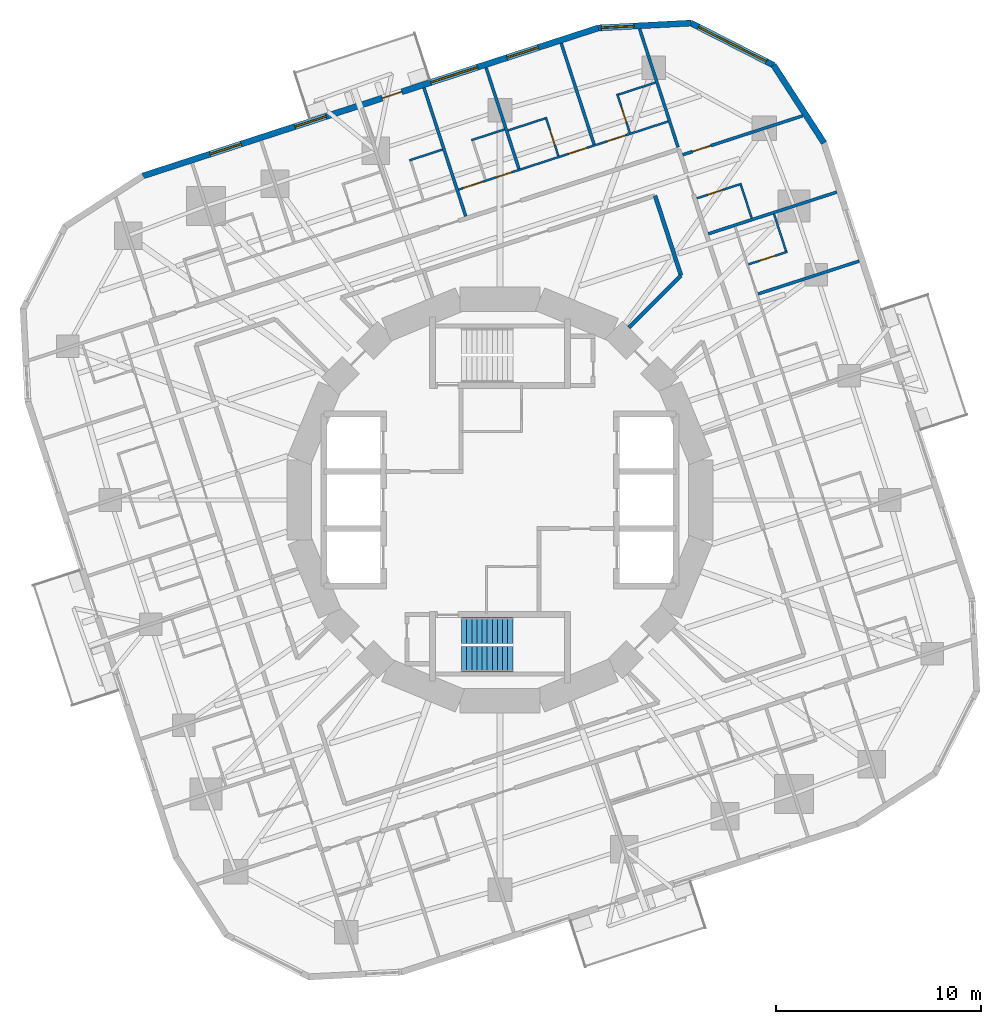
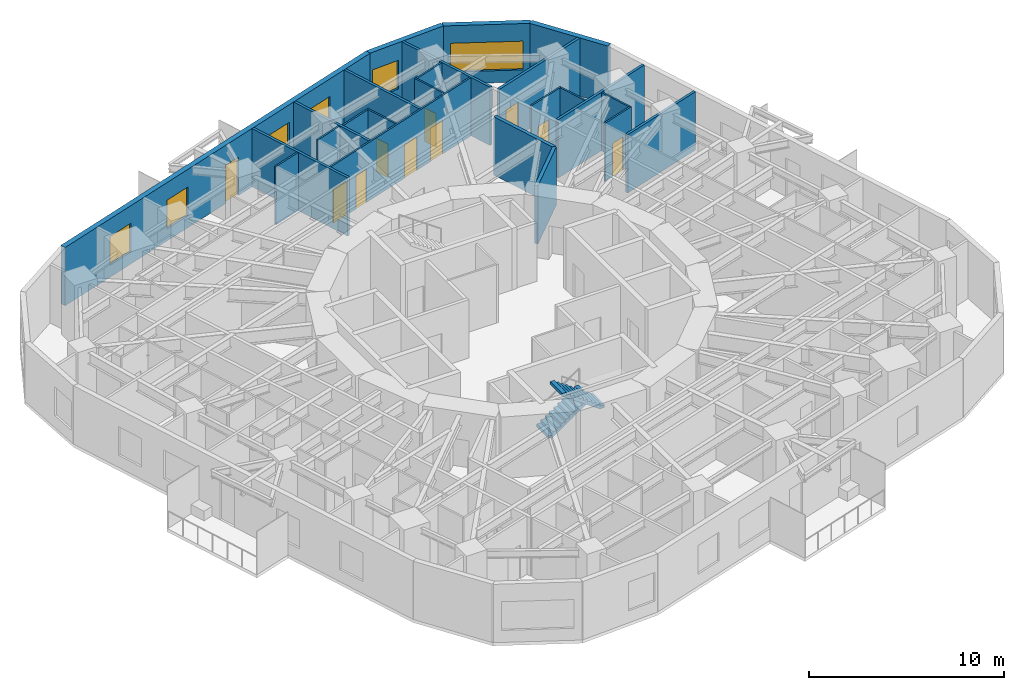
# One storey, part 10 of 13: 24 walls, 10 doors, 6 windows, 2 stair flights, 16 openings, 1 element without a shape of its own.
"""IFC4 building model written with IfcOpenShell, lengths in metres."""

from ifc_helpers import new_model, si_unit, direction, frame, frame_2d, origin, place, context, subcontext, project, spatial, polyline, rectangle, outline, extrude, material, layer, layer_set, type_object, element, fill, aggregate, save


model = new_model("IFC4")

# Units and contexts
model_context = context("Model", 3, precision=1e-05, world=origin(), true_north=direction((0.0, 1.0)))
body_context = subcontext(model_context, "Body", "Model", "MODEL_VIEW")
ifc_project = project(units=[si_unit("LENGTHUNIT", "METRE"), si_unit("AREAUNIT", "SQUARE_METRE"), si_unit("VOLUMEUNIT", "CUBIC_METRE"), si_unit("PLANEANGLEUNIT", "RADIAN"), si_unit("MASSUNIT", "GRAM", prefix="KILO")], contexts=[model_context])

# Site, building, storey
site_placement = place(None, origin())
site = spatial("IfcSite", under=ifc_project, at=site_placement, CompositionType="ELEMENT")
building_placement = place(site_placement, origin())
building = spatial("IfcBuilding", under=site, at=building_placement, Name="Nakasero Lantern House", CompositionType="ELEMENT")
storey_placement = place(building_placement, frame((0.0, 0.0, 157.199951171875)))
storey = spatial("IfcBuildingStorey", under=building, at=storey_placement, Name="L38", CompositionType="ELEMENT", Elevation=157.199951171875)

# Wall, openings, doors
ifc_material_1 = material(Name="Blockwork", Category="masonry")
ifc_layer_1 = layer(ifc_material_1, 0.10009765625)
ifc_layer_set_1 = layer_set([ifc_layer_1], Name="Cluster hall wall 100")
wall_type_1 = type_object("IfcWallType", Name="Cluster hall wall 100", PredefinedType="PARTITIONING", material=ifc_layer_set_1)
wall_1_placement = place(storey_placement, frame((8.21240234375, 18.492919921875, 0.0), z_axis=(0.0, 0.0, 1.0), x_axis=(-0.951054746376, -0.309022441572, 0.0)))
wall_1 = element("IfcWall", 1, at=wall_1_placement, inside=storey, type_object=wall_type_1, Name="Cluster hall wall L38 HW1-0", PredefinedType="PARTITIONING", context=body_context, shape_type="SweptSolid", body=[
    extrude(rectangle(XDim=10.758056640625, YDim=0.10009765625, at=frame_2d((5.37890625, 0.0))), origin(), (0.0, 0.0, 1.0), 3.650146484375),
])
opening_1_placement = place(wall_1_placement, frame((9.532958984375, 0.0, 0.0)))
opening_1 = element("IfcOpeningElement", 2, at=opening_1_placement, cuts=wall_1, Name="Opening D03", PredefinedType="OPENING", context=body_context, shape_type="SweptSolid", body=[
    extrude(rectangle(XDim=1.0, YDim=2.10009765625, at=frame_2d((0.5, 1.050048828125))), frame((0.0, 0.070068359375, 0.0), z_axis=(0.0, -1.0, 0.0), x_axis=(1.0, 0.0, 0.0)), (0.0, 0.0, 1.0), 0.14013671875),
])
opening_2_placement = place(wall_1_placement, frame((8.01904296875, 0.0, 0.0)))
opening_2 = element("IfcOpeningElement", 3, at=opening_2_placement, cuts=wall_1, Name="Opening D02", PredefinedType="OPENING", context=body_context, shape_type="SweptSolid", body=[
    extrude(rectangle(XDim=0.800048828125, YDim=2.10009765625, at=frame_2d((0.39990234375, 1.050048828125))), frame((0.0, 0.070068359375, 0.0), z_axis=(0.0, -1.0, 0.0), x_axis=(1.0, 0.0, 0.0)), (0.0, 0.0, 1.0), 0.14013671875),
])
opening_3_placement = place(wall_1_placement, frame((2.175048828125, 0.0, 0.0)))
opening_3 = element("IfcOpeningElement", 4, at=opening_3_placement, cuts=wall_1, Name="Opening D01", PredefinedType="OPENING", context=body_context, shape_type="SweptSolid", body=[
    extrude(rectangle(XDim=0.949951171875, YDim=2.10009765625, at=frame_2d((0.47509765625, 1.050048828125))), frame((0.0, 0.070068359375, 0.0), z_axis=(0.0, -1.0, 0.0), x_axis=(1.0, 0.0, 0.0)), (0.0, 0.0, 1.0), 0.14013671875),
])
opening_4_placement = place(wall_1_placement, frame((4.159423828125, 0.0, 0.0)))
opening_4 = element("IfcOpeningElement", 5, at=opening_4_placement, cuts=wall_1, Name="Opening D01", PredefinedType="OPENING", context=body_context, shape_type="SweptSolid", body=[
    extrude(rectangle(XDim=0.949951171875, YDim=2.10009765625, at=frame_2d((0.47509765625, 1.050048828125))), frame((0.0, 0.070068359375, 0.0), z_axis=(0.0, -1.0, 0.0), x_axis=(1.0, 0.0, 0.0)), (0.0, 0.0, 1.0), 0.14013671875),
])
ifc_material_2 = material(Name="Timber C24", Category="wood")
door_type_1 = type_object("IfcDoorType", Name="Bedroom door FD30S 950", OperationType="SINGLE_SWING_LEFT", PredefinedType="DOOR", material=ifc_material_2)
door_1_placement = place(opening_3_placement, origin())
door_1 = element("IfcDoor", 6, at=door_1_placement, inside=storey, type_object=door_type_1, Name="Door L38 D1-00", OperationType="SINGLE_SWING_LEFT", OverallHeight=2.10009765625, OverallWidth=0.949951171875, PredefinedType="DOOR", context=body_context, shape_type="SweptSolid", body=[
    extrude(rectangle(XDim=0.949951171875, YDim=2.10009765625, at=frame_2d((0.47509765625, 1.050048828125))), frame((0.0, 0.02490234375, 0.0), z_axis=(0.0, -1.0, 0.0), x_axis=(1.0, 0.0, 0.0)), (0.0, 0.0, 1.0), 0.050048828125),
])
fill(opening_3, door_1)
door_2_placement = place(opening_4_placement, origin())
door_2 = element("IfcDoor", 7, at=door_2_placement, inside=storey, type_object=door_type_1, Name="Door L38 D1-01", OperationType="SINGLE_SWING_LEFT", OverallHeight=2.10009765625, OverallWidth=0.949951171875, PredefinedType="DOOR", context=body_context, shape_type="SweptSolid", body=[
    extrude(rectangle(XDim=0.949951171875, YDim=2.10009765625, at=frame_2d((0.47509765625, 1.050048828125))), frame((0.0, 0.02490234375, 0.0), z_axis=(0.0, -1.0, 0.0), x_axis=(1.0, 0.0, 0.0)), (0.0, 0.0, 1.0), 0.050048828125),
])
fill(opening_4, door_2)
ifc_material_3 = material(Name="Timber C24", Category="wood")
door_type_2 = type_object("IfcDoorType", Name="En-suite door 800", OperationType="SINGLE_SWING_RIGHT", PredefinedType="DOOR", material=ifc_material_3)
door_3_placement = place(opening_2_placement, origin())
door_3 = element("IfcDoor", 8, at=door_3_placement, inside=storey, type_object=door_type_2, Name="Door L38 DSH1-0", OperationType="SINGLE_SWING_RIGHT", OverallHeight=2.10009765625, OverallWidth=0.800048828125, PredefinedType="DOOR", context=body_context, shape_type="SweptSolid", body=[
    extrude(rectangle(XDim=0.800048828125, YDim=2.10009765625, at=frame_2d((0.39990234375, 1.050048828125))), frame((0.0, 0.02490234375, 0.0), z_axis=(0.0, -1.0, 0.0), x_axis=(1.0, 0.0, 0.0)), (0.0, 0.0, 1.0), 0.050048828125),
])
fill(opening_2, door_3)
ifc_material_4 = material(Name="Timber C24", Category="wood")
door_type_3 = type_object("IfcDoorType", Name="Lounge door FD30S 1000", OperationType="SINGLE_SWING_LEFT", PredefinedType="DOOR", material=ifc_material_4)
door_4_placement = place(opening_1_placement, origin())
door_4 = element("IfcDoor", 9, at=door_4_placement, inside=storey, type_object=door_type_3, Name="Door L38 DH1-0", OperationType="SINGLE_SWING_RIGHT", OverallHeight=2.10009765625, OverallWidth=1.0, PredefinedType="DOOR", context=body_context, shape_type="SweptSolid", body=[
    extrude(rectangle(XDim=1.0, YDim=2.10009765625, at=frame_2d((0.5, 1.050048828125))), frame((0.0, 0.02490234375, 0.0), z_axis=(0.0, -1.0, 0.0), x_axis=(1.0, 0.0, 0.0)), (0.0, 0.0, 1.0), 0.050048828125),
])
fill(opening_1, door_4)

# Walls
ifc_material_5 = material(Name="Blockwork", Category="masonry")
ifc_layer_2 = layer(ifc_material_5, 0.199951171875)
ifc_layer_set_2 = layer_set([ifc_layer_2], Name="Corridor wall 200")
wall_type_2 = type_object("IfcWallType", Name="Corridor wall 200", PredefinedType="PARTITIONING", material=ifc_layer_set_2)
wall_2_placement = place(storey_placement, frame((8.84423828125, 10.965576171875, 0.0), z_axis=(0.0, 0.0, 1.0), x_axis=(-0.308973082722, 0.951070782935, 0.0)))
element("IfcWall", 10, at=wall_2_placement, inside=storey, type_object=wall_type_2, Name="Corridor wall L38 IW0-1", PredefinedType="PARTITIONING", context=body_context, shape_type="SweptSolid", body=[
    extrude(rectangle(XDim=4.104248046875, YDim=0.199951171875, at=frame_2d((2.05224609375, 0.0))), origin(), (0.0, 0.0, 1.0), 3.650146484375),
])
wall_3_placement = place(storey_placement, frame((6.298828125, 8.420166015625, 0.0), z_axis=(0.0, 0.0, 1.0), x_axis=(0.707106781187, 0.707106781187, 0.0)))
element("IfcWall", 11, at=wall_3_placement, inside=storey, type_object=wall_type_2, Name="Corridor wall L38 PS02a", PredefinedType="PARTITIONING", context=body_context, shape_type="SweptSolid", body=[
    extrude(rectangle(XDim=3.599853515625, YDim=0.199951171875, at=frame_2d((1.7998046875, 0.0))), origin(), (0.0, 0.0, 1.0), 3.650146484375),
])

# Wall, opening, door
ifc_material_6 = material(Name="Blockwork", Category="masonry")
ifc_layer_3 = layer(ifc_material_6, 0.10009765625)
ifc_layer_set_3 = layer_set([ifc_layer_3], Name="En-suite wall 100")
wall_type_3 = type_object("IfcWallType", Name="En-suite wall 100", PredefinedType="PARTITIONING", material=ifc_layer_set_3)
wall_4_placement = place(storey_placement, frame((12.13671875, 11.51123046875, 0.0), z_axis=(0.0, 0.0, 1.0), x_axis=(0.951048418938, 0.309041914367, 0.0)))
wall_4 = element("IfcWall", 12, at=wall_4_placement, inside=storey, type_object=wall_type_3, Name="En-suite wall L38 ES0-05", PredefinedType="PARTITIONING", context=body_context, shape_type="SweptSolid", body=[
    extrude(rectangle(XDim=2.000244140625, YDim=0.10009765625, at=frame_2d((1.0, 0.0))), origin(), (0.0, 0.0, 1.0), 3.650146484375),
])
opening_5_placement = place(wall_4_placement, frame((0.550048828125, 0.0, 0.0)))
opening_5 = element("IfcOpeningElement", 13, at=opening_5_placement, cuts=wall_4, Name="Opening D02", PredefinedType="OPENING", context=body_context, shape_type="SweptSolid", body=[
    extrude(rectangle(XDim=0.800048828125, YDim=2.10009765625, at=frame_2d((0.39990234375, 1.050048828125))), frame((0.0, 0.070068359375, 0.0), z_axis=(0.0, -1.0, 0.0), x_axis=(1.0, 0.0, 0.0)), (0.0, 0.0, 1.0), 0.14013671875),
])
door_5_placement = place(opening_5_placement, origin())
door_5 = element("IfcDoor", 14, at=door_5_placement, inside=storey, type_object=door_type_2, Name="Door L38 DE0-05", OperationType="SINGLE_SWING_LEFT", OverallHeight=2.10009765625, OverallWidth=0.800048828125, PredefinedType="DOOR", context=body_context, shape_type="SweptSolid", body=[
    extrude(rectangle(XDim=0.800048828125, YDim=2.10009765625, at=frame_2d((0.39990234375, 1.050048828125))), frame((0.0, 0.02490234375, 0.0), z_axis=(0.0, -1.0, 0.0), x_axis=(1.0, 0.0, 0.0)), (0.0, 0.0, 1.0), 0.050048828125),
])
fill(opening_5, door_5)

# Wall
wall_5_placement = place(storey_placement, frame((13.975830078125, 12.161376953125, 0.0), z_axis=(0.0, 0.0, 1.0), x_axis=(-0.308894308917, 0.951096370469, 0.0)))
element("IfcWall", 15, at=wall_5_placement, inside=storey, type_object=wall_type_3, Name="En-suite wall L38 EE0-05", PredefinedType="PARTITIONING", context=body_context, shape_type="SweptSolid", body=[
    extrude(rectangle(XDim=1.900146484375, YDim=0.10009765625, at=frame_2d((0.9501953125, 0.0))), origin(), (0.0, 0.0, 1.0), 3.650146484375),
])

# Wall, opening, door
wall_6_placement = place(storey_placement, frame((9.61572265625, 14.740234375, 0.0), z_axis=(0.0, 0.0, 1.0), x_axis=(0.951055129775, 0.309021261611, 0.0)))
wall_6 = element("IfcWall", 16, at=wall_6_placement, inside=storey, type_object=wall_type_3, Name="En-suite wall L38 ES0-06", PredefinedType="PARTITIONING", context=body_context, shape_type="SweptSolid", body=[
    extrude(rectangle(XDim=2.2998046875, YDim=0.10009765625, at=frame_2d((1.14990234375, 0.0))), origin(), (0.0, 0.0, 1.0), 3.650146484375),
])
opening_6_placement = place(wall_6_placement, frame((0.550048828125, 0.0, 0.0)))
opening_6 = element("IfcOpeningElement", 17, at=opening_6_placement, cuts=wall_6, Name="Opening D02", PredefinedType="OPENING", context=body_context, shape_type="SweptSolid", body=[
    extrude(rectangle(XDim=0.800048828125, YDim=2.10009765625, at=frame_2d((0.39990234375, 1.050048828125))), frame((0.0, 0.070068359375, 0.0), z_axis=(0.0, -1.0, 0.0), x_axis=(1.0, 0.0, 0.0)), (0.0, 0.0, 1.0), 0.14013671875),
])
door_6_placement = place(opening_6_placement, origin())
door_6 = element("IfcDoor", 18, at=door_6_placement, inside=storey, type_object=door_type_2, Name="Door L38 DE0-06", OperationType="SINGLE_SWING_LEFT", OverallHeight=2.10009765625, OverallWidth=0.800048828125, PredefinedType="DOOR", context=body_context, shape_type="SweptSolid", body=[
    extrude(rectangle(XDim=0.800048828125, YDim=2.10009765625, at=frame_2d((0.39990234375, 1.050048828125))), frame((0.0, 0.02490234375, 0.0), z_axis=(0.0, -1.0, 0.0), x_axis=(1.0, 0.0, 0.0)), (0.0, 0.0, 1.0), 0.050048828125),
])
fill(opening_6, door_6)

# Walls
for number, where, z_axis, x_axis, name in (
    (19, (12.29638671875, 13.771240234375, 0.0), (0.0, 0.0, 1.0), (-0.309066587596, 0.951040401051, 0.0), "En-suite wall L38 EE0-06"),
    (20, (0.22216796875, 18.104736328125, 0.0), (0.0, 0.0, 1.0), (-0.951040401051, -0.309066587596, 0.0), "En-suite wall L38 SE1-0"),
    (21, (-2.810791015625, 17.119384765625, 0.0), (0.0, 0.0, 1.0), (-0.951040401051, -0.309066587596, 0.0), "En-suite wall L38 SE1-1"),
):
    element("IfcWall", number, at=place(storey_placement, frame(where, z_axis=z_axis, x_axis=x_axis)), inside=storey, type_object=wall_type_3, Name=name, PredefinedType="PARTITIONING", context=body_context, shape_type="SweptSolid", body=[
        extrude(rectangle(XDim=1.699951171875, YDim=0.10009765625, at=frame_2d((0.85009765625, 0.0))), origin(), (0.0, 0.0, 1.0), 3.650146484375),
    ])

# Wall, opening, door
wall_7_placement = place(storey_placement, frame((6.34228515625, 17.937744140625, 0.0), z_axis=(0.0, 0.0, 1.0), x_axis=(-0.308967378027, 0.951072636193, 0.0)))
wall_7 = element("IfcWall", 22, at=wall_7_placement, inside=storey, type_object=wall_type_3, Name="En-suite wall L38 ES1-00", PredefinedType="PARTITIONING", context=body_context, shape_type="SweptSolid", body=[
    extrude(rectangle(XDim=2.0, YDim=0.10009765625, at=frame_2d((1.0, 0.0))), origin(), (0.0, 0.0, 1.0), 3.650146484375),
])
opening_7_placement = place(wall_7_placement, frame((0.550048828125, 0.0, 0.0)))
opening_7 = element("IfcOpeningElement", 23, at=opening_7_placement, cuts=wall_7, Name="Opening D02", PredefinedType="OPENING", context=body_context, shape_type="SweptSolid", body=[
    extrude(rectangle(XDim=0.800048828125, YDim=2.10009765625, at=frame_2d((0.39990234375, 1.050048828125))), frame((0.0, 0.070068359375, 0.0), z_axis=(0.0, -1.0, 0.0), x_axis=(1.0, 0.0, 0.0)), (0.0, 0.0, 1.0), 0.14013671875),
])
door_7_placement = place(opening_7_placement, origin())
door_7 = element("IfcDoor", 24, at=door_7_placement, inside=storey, type_object=door_type_2, Name="Door L38 DE1-00", OperationType="SINGLE_SWING_LEFT", OverallHeight=2.10009765625, OverallWidth=0.800048828125, PredefinedType="DOOR", context=body_context, shape_type="SweptSolid", body=[
    extrude(rectangle(XDim=0.800048828125, YDim=2.10009765625, at=frame_2d((0.39990234375, 1.050048828125))), frame((0.0, 0.02490234375, 0.0), z_axis=(0.0, -1.0, 0.0), x_axis=(1.0, 0.0, 0.0)), (0.0, 0.0, 1.0), 0.050048828125),
])
fill(opening_7, door_7)

# Wall
wall_8_placement = place(storey_placement, frame((7.59423828125, 20.39501953125, 0.0), z_axis=(0.0, 0.0, 1.0), x_axis=(-0.951046344356, -0.309048298632, 0.0)))
element("IfcWall", 25, at=wall_8_placement, inside=storey, type_object=wall_type_3, Name="En-suite wall L38 EE1-00", PredefinedType="PARTITIONING", context=body_context, shape_type="SweptSolid", body=[
    extrude(rectangle(XDim=1.89990234375, YDim=0.10009765625, at=frame_2d((0.949951171875, 0.0))), origin(), (0.0, 0.0, 1.0), 3.650146484375),
])

# Wall, opening, door
wall_9_placement = place(storey_placement, frame((2.85302734375, 16.803955078125, 0.0), z_axis=(0.0, 0.0, 1.0), x_axis=(-0.309077791808, 0.951036759863, 0.0)))
wall_9 = element("IfcWall", 26, at=wall_9_placement, inside=storey, type_object=wall_type_3, Name="En-suite wall L38 ES1-01", PredefinedType="PARTITIONING", context=body_context, shape_type="SweptSolid", body=[
    extrude(rectangle(XDim=2.0, YDim=0.10009765625, at=frame_2d((1.0, 0.0))), origin(), (0.0, 0.0, 1.0), 3.650146484375),
])
opening_8_placement = place(wall_9_placement, frame((0.550048828125, 0.0, 0.0)))
opening_8 = element("IfcOpeningElement", 27, at=opening_8_placement, cuts=wall_9, Name="Opening D02", PredefinedType="OPENING", context=body_context, shape_type="SweptSolid", body=[
    extrude(rectangle(XDim=0.800048828125, YDim=2.10009765625, at=frame_2d((0.39990234375, 1.050048828125))), frame((0.0, 0.070068359375, 0.0), z_axis=(0.0, -1.0, 0.0), x_axis=(1.0, 0.0, 0.0)), (0.0, 0.0, 1.0), 0.14013671875),
])
door_8_placement = place(opening_8_placement, origin())
door_8 = element("IfcDoor", 28, at=door_8_placement, inside=storey, type_object=door_type_2, Name="Door L38 DE1-01", OperationType="SINGLE_SWING_LEFT", OverallHeight=2.10009765625, OverallWidth=0.800048828125, PredefinedType="DOOR", context=body_context, shape_type="SweptSolid", body=[
    extrude(rectangle(XDim=0.800048828125, YDim=2.10009765625, at=frame_2d((0.39990234375, 1.050048828125))), frame((0.0, 0.02490234375, 0.0), z_axis=(0.0, -1.0, 0.0), x_axis=(1.0, 0.0, 0.0)), (0.0, 0.0, 1.0), 0.050048828125),
])
fill(opening_8, door_8)

# Walls
wall_10_placement = place(storey_placement, frame((2.202880859375, 18.64306640625, 0.0), z_axis=(0.0, 0.0, 1.0), x_axis=(-0.951096370469, -0.308894308917, 0.0)))
element("IfcWall", 29, at=wall_10_placement, inside=storey, type_object=wall_type_3, Name="En-suite wall L38 EE1-01", PredefinedType="PARTITIONING", context=body_context, shape_type="SweptSolid", body=[
    extrude(rectangle(XDim=1.900146484375, YDim=0.10009765625, at=frame_2d((0.9501953125, 0.0))), origin(), (0.0, 0.0, 1.0), 3.650146484375),
])
ifc_material_7 = material(Name="Aluminium rainscreen on blockwork", Category="masonry")
ifc_layer_4 = layer(ifc_material_7, 0.300048828125)
ifc_layer_set_4 = layer_set([ifc_layer_4], Name="Facade wall 300")
wall_type_4 = type_object("IfcWallType", Name="Facade wall 300", PredefinedType="SOLIDWALL", material=ifc_layer_set_4)
wall_11_placement = place(storey_placement, frame((15.83349609375, 17.44677734375, 0.0), z_axis=(0.0, 0.0, 1.0), x_axis=(-0.544634002266, 0.838673836229, 0.0)))
element("IfcWall", 30, at=wall_11_placement, inside=storey, type_object=wall_type_4, Name="Facade wall L38 FW0C1", PredefinedType="SOLIDWALL", context=body_context, shape_type="SweptSolid", body=[
    extrude(rectangle(XDim=4.529296875, YDim=0.300048828125, at=frame_2d((2.2646484375, 0.0))), origin(), (0.0, 0.0, 1.0), 3.650146484375),
])

# Wall, opening, window
wall_12_placement = place(storey_placement, frame((13.36669921875, 21.245361328125, 0.0), z_axis=(0.0, 0.0, 1.0), x_axis=(-0.890994655705, 0.454013792196, 0.0)))
wall_12 = element("IfcWall", 31, at=wall_12_placement, inside=storey, type_object=wall_type_4, Name="Facade wall L38 FW0C2", PredefinedType="SOLIDWALL", context=body_context, shape_type="SweptSolid", body=[
    extrude(rectangle(XDim=4.529296875, YDim=0.300048828125, at=frame_2d((2.2646484375, 0.0))), origin(), (0.0, 0.0, 1.0), 3.650146484375),
])
opening_9_placement = place(wall_12_placement, frame((0.39990234375, 0.0, 0.75)))
opening_9 = element("IfcOpeningElement", 32, at=opening_9_placement, cuts=wall_12, Name="Opening W237A", PredefinedType="OPENING", context=body_context, shape_type="SweptSolid", body=[
    extrude(rectangle(XDim=3.72900390625, YDim=1.800048828125, at=frame_2d((1.864501953125, 0.89990234375))), frame((0.0, 0.169921875, 0.0), z_axis=(0.0, -1.0, 0.0), x_axis=(1.0, 0.0, 0.0)), (0.0, 0.0, 1.0), 0.340087890625),
])
ifc_material_8 = material(Name="Aluminium 6063-T6 and glass", Category="aluminium")
window_type_1 = type_object("IfcWindowType", Name="Corner window 3729x1800", PartitioningType="SINGLE_PANEL", PredefinedType="WINDOW", material=ifc_material_8)
window_1_placement = place(opening_9_placement, origin())
window_1 = element("IfcWindow", 33, at=window_1_placement, inside=storey, type_object=window_type_1, Name="Window L38 WC0", OverallHeight=1.800048828125, OverallWidth=3.72900390625, PartitioningType="SINGLE_PANEL", PredefinedType="WINDOW", context=body_context, shape_type="SweptSolid", body=[
    extrude(rectangle(XDim=3.72900390625, YDim=1.800048828125, at=frame_2d((1.864501953125, 0.89990234375))), frame((0.0, 0.030029296875, 0.0), z_axis=(0.0, -1.0, 0.0), x_axis=(1.0, 0.0, 0.0)), (0.0, 0.0, 1.0), 0.06005859375),
])
fill(opening_9, window_1)

wall_13_placement = place(storey_placement, frame((9.3310546875, 23.3017578125, 0.0), z_axis=(0.0, 0.0, 1.0), x_axis=(-0.998629419044, -0.052338164079, 0.0)))
wall_13 = element("IfcWall", 34, at=wall_13_placement, inside=storey, type_object=wall_type_4, Name="Facade wall L38 FW0C3", PredefinedType="SOLIDWALL", context=body_context, shape_type="SweptSolid", body=[
    extrude(rectangle(XDim=4.529296875, YDim=0.300048828125, at=frame_2d((2.2646484375, 0.0))), origin(), (0.0, 0.0, 1.0), 3.650146484375),
])
opening_10_placement = place(wall_13_placement, frame((2.784912109375, 0.0, 0.75)))
opening_10 = element("IfcOpeningElement", 35, at=opening_10_placement, cuts=wall_13, Name="Opening W01", PredefinedType="OPENING", context=body_context, shape_type="SweptSolid", body=[
    extrude(rectangle(XDim=1.60009765625, YDim=1.800048828125, at=frame_2d((0.800048828125, 0.89990234375))), frame((0.0, 0.169921875, 0.0), z_axis=(0.0, -1.0, 0.0), x_axis=(1.0, 0.0, 0.0)), (0.0, 0.0, 1.0), 0.340087890625),
])
ifc_material_9 = material(Name="Aluminium 6063-T6 and glass", Category="aluminium")
window_type_2 = type_object("IfcWindowType", Name="Bedroom window 1600x1800", PartitioningType="SINGLE_PANEL", PredefinedType="WINDOW", material=ifc_material_9)
window_2_placement = place(opening_10_placement, origin())
window_2 = element("IfcWindow", 36, at=window_2_placement, inside=storey, type_object=window_type_2, Name="Window L38 WN1-00", OverallHeight=1.800048828125, OverallWidth=1.60009765625, PartitioningType="SINGLE_PANEL", PredefinedType="WINDOW", context=body_context, shape_type="SweptSolid", body=[
    extrude(rectangle(XDim=1.60009765625, YDim=1.800048828125, at=frame_2d((0.800048828125, 0.89990234375))), frame((0.0, 0.030029296875, 0.0), z_axis=(0.0, -1.0, 0.0), x_axis=(1.0, 0.0, 0.0)), (0.0, 0.0, 1.0), 0.06005859375),
])
fill(opening_10, window_2)

# Wall, openings, door, windows
wall_14_placement = place(storey_placement, frame((4.807861328125, 23.064697265625, 0.0), z_axis=(0.0, 0.0, 1.0), x_axis=(-0.951053618334, -0.30902591324, 0.0)))
wall_14 = element("IfcWall", 37, at=wall_14_placement, inside=storey, type_object=wall_type_4, Name="Facade wall L38 FW1S", PredefinedType="SOLIDWALL", context=body_context, shape_type="SweptSolid", body=[
    extrude(rectangle(XDim=23.39990234375, YDim=0.300048828125, at=frame_2d((11.699951171875, 0.0))), origin(), (0.0, 0.0, 1.0), 3.650146484375),
])
opening_11_placement = place(wall_14_placement, frame((3.089111328125, 0.0, 0.75)))
opening_11 = element("IfcOpeningElement", 38, at=opening_11_placement, cuts=wall_14, Name="Opening W01", PredefinedType="OPENING", context=body_context, shape_type="SweptSolid", body=[
    extrude(rectangle(XDim=1.60009765625, YDim=1.800048828125, at=frame_2d((0.800048828125, 0.89990234375))), frame((0.0, 0.169921875, 0.0), z_axis=(0.0, -1.0, 0.0), x_axis=(1.0, 0.0, 0.0)), (0.0, 0.0, 1.0), 0.340087890625),
])
opening_12_placement = place(wall_14_placement, frame((13.987548828125, 0.0, 0.75)))
opening_12 = element("IfcOpeningElement", 39, at=opening_12_placement, cuts=wall_14, Name="Opening W01", PredefinedType="OPENING", context=body_context, shape_type="SweptSolid", body=[
    extrude(rectangle(XDim=1.60009765625, YDim=1.800048828125, at=frame_2d((0.800048828125, 0.89990234375))), frame((0.0, 0.169921875, 0.0), z_axis=(0.0, -1.0, 0.0), x_axis=(1.0, 0.0, 0.0)), (0.0, 0.0, 1.0), 0.340087890625),
])
opening_13_placement = place(wall_14_placement, frame((18.350341796875, 0.0, 0.75)))
opening_13 = element("IfcOpeningElement", 40, at=opening_13_placement, cuts=wall_14, Name="Opening W01", PredefinedType="OPENING", context=body_context, shape_type="SweptSolid", body=[
    extrude(rectangle(XDim=1.60009765625, YDim=1.800048828125, at=frame_2d((0.800048828125, 0.89990234375))), frame((0.0, 0.169921875, 0.0), z_axis=(0.0, -1.0, 0.0), x_axis=(1.0, 0.0, 0.0)), (0.0, 0.0, 1.0), 0.340087890625),
])
opening_14_placement = place(wall_14_placement, frame((6.21337890625, 0.0, 0.75)))
opening_14 = element("IfcOpeningElement", 41, at=opening_14_placement, cuts=wall_14, Name="Opening W03", PredefinedType="OPENING", context=body_context, shape_type="SweptSolid", body=[
    extrude(rectangle(XDim=2.39990234375, YDim=1.800048828125, at=frame_2d((1.199951171875, 0.89990234375))), frame((0.0, 0.169921875, 0.0), z_axis=(0.0, -1.0, 0.0), x_axis=(1.0, 0.0, 0.0)), (0.0, 0.0, 1.0), 0.340087890625),
])
opening_15_placement = place(wall_14_placement, frame((10.1025390625, 0.0, 0.0)))
opening_15 = element("IfcOpeningElement", 42, at=opening_15_placement, cuts=wall_14, Name="Opening D04", PredefinedType="OPENING", context=body_context, shape_type="SweptSolid", body=[
    extrude(rectangle(XDim=1.0, YDim=2.39990234375, at=frame_2d((0.5, 1.199951171875))), frame((0.0, 0.169921875, 0.0), z_axis=(0.0, -1.0, 0.0), x_axis=(1.0, 0.0, 0.0)), (0.0, 0.0, 1.0), 0.340087890625),
])
ifc_material_10 = material(Name="Aluminium 6063-T6 and glass", Category="aluminium")
door_type_4 = type_object("IfcDoorType", Name="Balcony door 1000x2400", OperationType="SINGLE_SWING_RIGHT", PredefinedType="DOOR", material=ifc_material_10)
door_9_placement = place(opening_15_placement, origin())
door_9 = element("IfcDoor", 43, at=door_9_placement, inside=storey, type_object=door_type_4, Name="Balcony door L38 DB1", OperationType="SINGLE_SWING_RIGHT", OverallHeight=2.39990234375, OverallWidth=1.0, PredefinedType="DOOR", context=body_context, shape_type="SweptSolid", body=[
    extrude(rectangle(XDim=1.0, YDim=2.39990234375, at=frame_2d((0.5, 1.199951171875))), frame((0.0, 0.02490234375, 0.0), z_axis=(0.0, -1.0, 0.0), x_axis=(1.0, 0.0, 0.0)), (0.0, 0.0, 1.0), 0.050048828125),
])
fill(opening_15, door_9)
window_3_placement = place(opening_11_placement, origin())
window_3 = element("IfcWindow", 44, at=window_3_placement, inside=storey, type_object=window_type_2, Name="Window L38 WN1-01", OverallHeight=1.800048828125, OverallWidth=1.60009765625, PartitioningType="SINGLE_PANEL", PredefinedType="WINDOW", context=body_context, shape_type="SweptSolid", body=[
    extrude(rectangle(XDim=1.60009765625, YDim=1.800048828125, at=frame_2d((0.800048828125, 0.89990234375))), frame((0.0, 0.030029296875, 0.0), z_axis=(0.0, -1.0, 0.0), x_axis=(1.0, 0.0, 0.0)), (0.0, 0.0, 1.0), 0.06005859375),
])
fill(opening_11, window_3)
window_4_placement = place(opening_12_placement, origin())
window_4 = element("IfcWindow", 45, at=window_4_placement, inside=storey, type_object=window_type_2, Name="Window L38 WN1-04", OverallHeight=1.800048828125, OverallWidth=1.60009765625, PartitioningType="SINGLE_PANEL", PredefinedType="WINDOW", context=body_context, shape_type="SweptSolid", body=[
    extrude(rectangle(XDim=1.60009765625, YDim=1.800048828125, at=frame_2d((0.800048828125, 0.89990234375))), frame((0.0, 0.030029296875, 0.0), z_axis=(0.0, -1.0, 0.0), x_axis=(1.0, 0.0, 0.0)), (0.0, 0.0, 1.0), 0.06005859375),
])
fill(opening_12, window_4)
window_5_placement = place(opening_13_placement, origin())
window_5 = element("IfcWindow", 46, at=window_5_placement, inside=storey, type_object=window_type_2, Name="Window L38 WN1-05", OverallHeight=1.800048828125, OverallWidth=1.60009765625, PartitioningType="SINGLE_PANEL", PredefinedType="WINDOW", context=body_context, shape_type="SweptSolid", body=[
    extrude(rectangle(XDim=1.60009765625, YDim=1.800048828125, at=frame_2d((0.800048828125, 0.89990234375))), frame((0.0, 0.030029296875, 0.0), z_axis=(0.0, -1.0, 0.0), x_axis=(1.0, 0.0, 0.0)), (0.0, 0.0, 1.0), 0.06005859375),
])
fill(opening_13, window_5)
ifc_material_11 = material(Name="Aluminium 6063-T6 and glass", Category="aluminium")
window_type_3 = type_object("IfcWindowType", Name="Lounge window 2400x1800", PartitioningType="SINGLE_PANEL", PredefinedType="WINDOW", material=ifc_material_11)
window_6_placement = place(opening_14_placement, origin())
window_6 = element("IfcWindow", 47, at=window_6_placement, inside=storey, type_object=window_type_3, Name="Window L38 WK1", OverallHeight=1.800048828125, OverallWidth=2.39990234375, PartitioningType="SINGLE_PANEL", PredefinedType="WINDOW", context=body_context, shape_type="SweptSolid", body=[
    extrude(rectangle(XDim=2.39990234375, YDim=1.800048828125, at=frame_2d((1.199951171875, 0.89990234375))), frame((0.0, 0.030029296875, 0.0), z_axis=(0.0, -1.0, 0.0), x_axis=(1.0, 0.0, 0.0)), (0.0, 0.0, 1.0), 0.06005859375),
])
fill(opening_14, window_6)

# Walls
ifc_material_12 = material(Name="Blockwork", Category="masonry")
ifc_layer_5 = layer(ifc_material_12, 0.14990234375)
ifc_layer_set_5 = layer_set([ifc_layer_5], Name="Party wall 150")
wall_type_5 = type_object("IfcWallType", Name="Party wall 150", PredefinedType="PARTITIONING", material=ifc_layer_set_5)
wall_15_placement = place(storey_placement, frame((12.606201171875, 10.06640625, 0.0), z_axis=(0.0, 0.0, 1.0), x_axis=(0.951055112834, 0.309021313752, 0.0)))
element("IfcWall", 48, at=wall_15_placement, inside=storey, type_object=wall_type_5, Name="Party wall L38 PW0-05", PredefinedType="PARTITIONING", context=body_context, shape_type="SweptSolid", body=[
    extrude(rectangle(XDim=5.2001953125, YDim=0.14990234375, at=frame_2d((2.60009765625, 0.0))), origin(), (0.0, 0.0, 1.0), 3.650146484375),
])
wall_16_placement = place(storey_placement, frame((10.1796875, 13.004638671875, 0.0), z_axis=(0.0, 0.0, 1.0), x_axis=(0.951053095941, 0.309027520945, 0.0)))
element("IfcWall", 49, at=wall_16_placement, inside=storey, type_object=wall_type_5, Name="Party wall L38 PW0-06", PredefinedType="PARTITIONING", context=body_context, shape_type="SweptSolid", body=[
    extrude(rectangle(XDim=6.599853515625, YDim=0.14990234375, at=frame_2d((3.2998046875, 0.0))), origin(), (0.0, 0.0, 1.0), 3.650146484375),
])

# Wall, opening, door
wall_17_placement = place(storey_placement, frame((8.9248046875, 16.8662109375, 0.0), z_axis=(0.0, 0.0, 1.0), x_axis=(0.951051818488, 0.309031452366, 0.0)))
wall_17 = element("IfcWall", 50, at=wall_17_placement, inside=storey, type_object=wall_type_5, Name="Party wall L38 PC0", PredefinedType="PARTITIONING", context=body_context, shape_type="SweptSolid", body=[
    extrude(rectangle(XDim=6.165283203125, YDim=0.14990234375, at=frame_2d((3.08251953125, 0.0))), origin(), (0.0, 0.0, 1.0), 3.650146484375),
])
opening_16_placement = place(wall_17_placement, frame((0.5, 0.0, 0.0)))
opening_16 = element("IfcOpeningElement", 51, at=opening_16_placement, cuts=wall_17, Name="Opening D01", PredefinedType="OPENING", context=body_context, shape_type="SweptSolid", body=[
    extrude(rectangle(XDim=0.949951171875, YDim=2.10009765625, at=frame_2d((0.47509765625, 1.050048828125))), frame((0.0, 0.094970703125, 0.0), z_axis=(0.0, -1.0, 0.0), x_axis=(1.0, 0.0, 0.0)), (0.0, 0.0, 1.0), 0.18994140625),
])
door_10_placement = place(opening_16_placement, origin())
door_10 = element("IfcDoor", 52, at=door_10_placement, inside=storey, type_object=door_type_1, Name="Door L38 DC0", OperationType="SINGLE_SWING_LEFT", OverallHeight=2.10009765625, OverallWidth=0.949951171875, PredefinedType="DOOR", context=body_context, shape_type="SweptSolid", body=[
    extrude(rectangle(XDim=0.949951171875, YDim=2.10009765625, at=frame_2d((0.47509765625, 1.050048828125))), frame((0.0, 0.02490234375, 0.0), z_axis=(0.0, -1.0, 0.0), x_axis=(1.0, 0.0, 0.0)), (0.0, 0.0, 1.0), 0.050048828125),
])
fill(opening_16, door_10)

# Walls
wall_18_placement = place(storey_placement, frame((8.700927734375, 17.232177734375, 0.0), z_axis=(0.0, 0.0, 1.0), x_axis=(-0.309015253813, 0.951057081836, 0.0)))
element("IfcWall", 53, at=wall_18_placement, inside=storey, type_object=wall_type_5, Name="Party wall L38 PW1-00", PredefinedType="PARTITIONING", context=body_context, shape_type="SweptSolid", body=[
    extrude(rectangle(XDim=6.080322265625, YDim=0.14990234375, at=frame_2d((3.0400390625, 0.0))), origin(), (0.0, 0.0, 1.0), 3.650146484375),
])
for number, where, z_axis, x_axis, name in (
    (54, (4.59765625, 17.370849609375, 0.0), (0.0, 0.0, 1.0), (-0.309021313752, 0.951055112834, 0.0), "Party wall L38 PW1-01"),
    (55, (0.927001953125, 16.17822265625, 0.0), (0.0, 0.0, 1.0), (-0.309021313752, 0.951055112834, 0.0), "Party wall L38 PW1-02"),
):
    element("IfcWall", number, at=place(storey_placement, frame(where, z_axis=z_axis, x_axis=x_axis)), inside=storey, type_object=wall_type_5, Name=name, PredefinedType="PARTITIONING", context=body_context, shape_type="SweptSolid", body=[
        extrude(rectangle(XDim=5.2001953125, YDim=0.14990234375, at=frame_2d((2.60009765625, 0.0))), origin(), (0.0, 0.0, 1.0), 3.650146484375),
    ])
wall_19_placement = place(storey_placement, frame((-1.67333984375, 13.861328125, 0.0), z_axis=(0.0, 0.0, 1.0), x_axis=(-0.309016649428, 0.951056628375, 0.0)))
element("IfcWall", 56, at=wall_19_placement, inside=storey, type_object=wall_type_5, Name="Party wall L38 PW1-03", PredefinedType="PARTITIONING", context=body_context, shape_type="SweptSolid", body=[
    extrude(rectangle(XDim=6.60009765625, YDim=0.14990234375, at=frame_2d((3.300048828125, 0.0))), origin(), (0.0, 0.0, 1.0), 3.650146484375),
])

# Stair, stair flights
ifc_material_13 = material(Name="Concrete C40/50", Category="concrete")
stair_type = type_object("IfcStairType", Name="Escape stair ST2 22 risers", PredefinedType="HALF_TURN_STAIR", material=ifc_material_13)
stair_placement = place(storey_placement, origin())
stair = element("IfcStair", 57, at=stair_placement, inside=storey, type_object=stair_type, Name="Escape stair ST2 L38", PredefinedType="HALF_TURN_STAIR")
ifc_material_14 = material(Name="Concrete C40/50", Category="concrete")
stair_flight_type = type_object("IfcStairFlightType", Name="Escape stair flight", PredefinedType="STRAIGHT", material=ifc_material_14)
stair_flight_1_placement = place(storey_placement, frame((-1.875, -6.375, 0.0), z_axis=(0.0, 0.0, 1.0), x_axis=(1.0, 0.0, 0.0)))
stair_flight_1 = element("IfcStairFlight", 58, at=stair_flight_1_placement, type_object=stair_flight_type, Name="ST2 flight 1", NumberOfRisers=11, NumberOfTreads=10, PredefinedType="STRAIGHT", RiserHeight=0.175, TreadLength=0.25, context=body_context, shape_type="SweptSolid", body=[
    extrude(outline(polyline([(0.0, 0.0), (0.0, 0.175048828125), (0.25, 0.175048828125), (0.25, 0.35009765625), (0.5, 0.35009765625), (0.5, 0.52490234375), (0.75, 0.52490234375), (0.75, 0.699951171875), (1.0, 0.699951171875), (1.0, 0.875), (1.25, 0.875), (1.25, 1.050048828125), (1.5, 1.050048828125), (1.5, 1.22509765625), (1.75, 1.22509765625), (1.75, 1.39990234375), (2.0, 1.39990234375), (2.0, 1.574951171875), (2.25, 1.574951171875), (2.25, 1.75), (2.5, 1.75), (2.5, 1.925048828125), (2.5, 1.567138671875), (0.261474609375, 0.0), (0.0, 0.0)])), frame((0.0, 0.625, 0.0), z_axis=(0.0, -1.0, 0.0), x_axis=(1.0, 0.0, 0.0)), (0.0, 0.0, 1.0), 1.25),
])
stair_flight_2_placement = place(storey_placement, frame((0.625, -7.77490234375, 1.925048828125), z_axis=(0.0, 0.0, 1.0), x_axis=(-1.0, 0.0, 0.0)))
stair_flight_2 = element("IfcStairFlight", 59, at=stair_flight_2_placement, type_object=stair_flight_type, Name="ST2 flight 2", NumberOfRisers=11, NumberOfTreads=10, PredefinedType="STRAIGHT", RiserHeight=0.175, TreadLength=0.25, context=body_context, shape_type="SweptSolid", body=[
    extrude(outline(polyline([(0.0, 0.0), (0.0, 0.175048828125), (0.25, 0.175048828125), (0.25, 0.35009765625), (0.5, 0.35009765625), (0.5, 0.52490234375), (0.75, 0.52490234375), (0.75, 0.699951171875), (1.0, 0.699951171875), (1.0, 0.875), (1.25, 0.875), (1.25, 1.050048828125), (1.5, 1.050048828125), (1.5, 1.22509765625), (1.75, 1.22509765625), (1.75, 1.39990234375), (2.0, 1.39990234375), (2.0, 1.574951171875), (2.25, 1.574951171875), (2.25, 1.75), (2.5, 1.75), (2.5, 1.925048828125), (2.5, 1.567138671875), (0.261474609375, 0.0), (0.0, 0.0)])), frame((0.0, 0.625, 0.0), z_axis=(0.0, -1.0, 0.0), x_axis=(1.0, 0.0, 0.0)), (0.0, 0.0, 1.0), 1.25),
])
aggregate(stair, [stair_flight_1, stair_flight_2])

save(model, "model.ifc")
